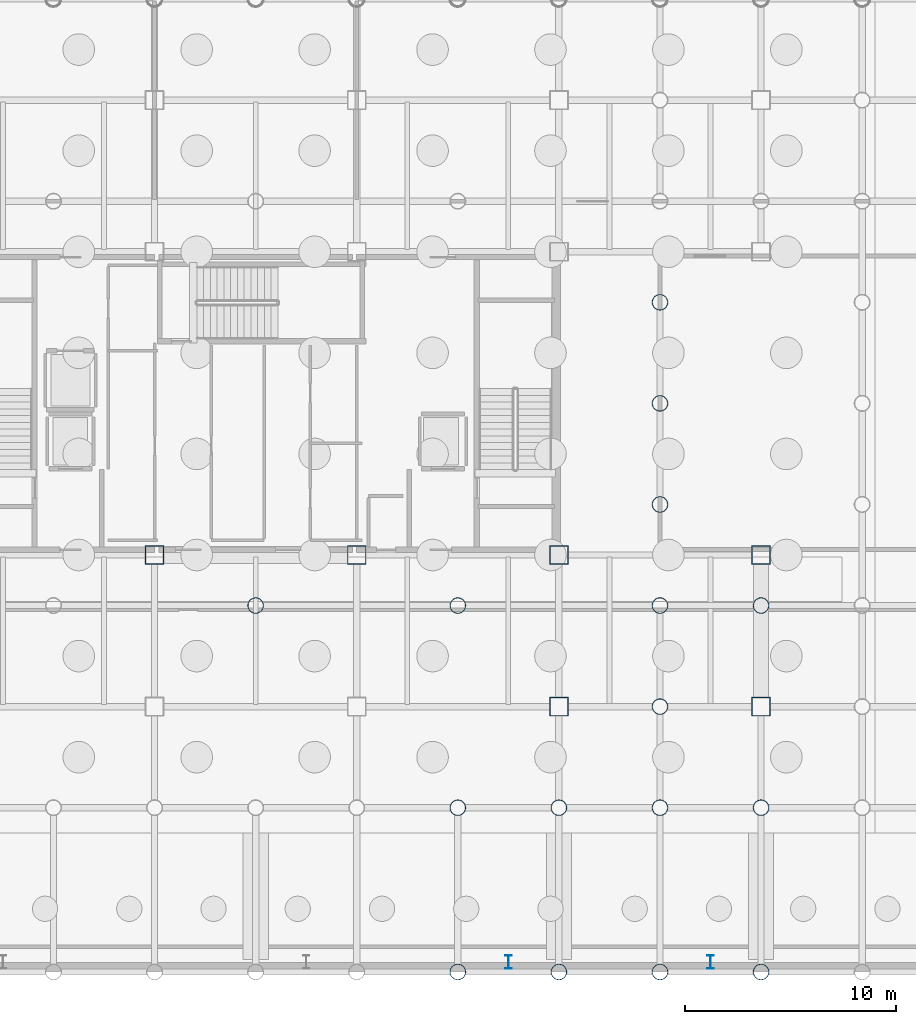
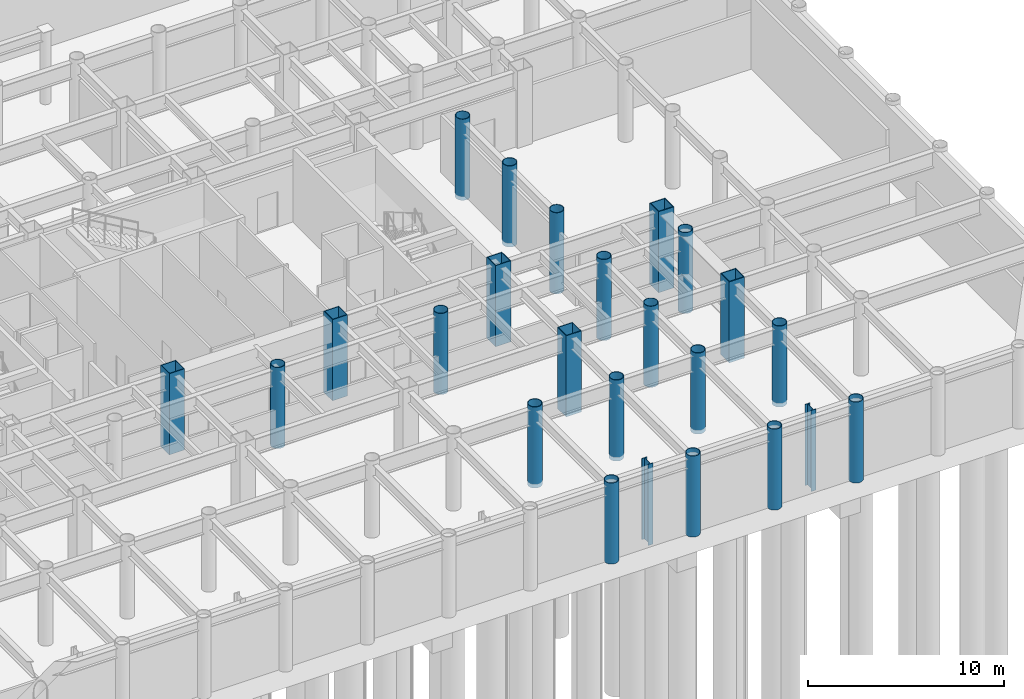
# One storey, part 3 of 17: 24 columns.
"""IFC4 building model written with IfcOpenShell, lengths in metres."""

from ifc_helpers import new_model, si_unit, direction, frame, origin, origin_2d, place, context, subcontext, project, spatial, hollow_rectangle, hollow_circle, i_section, extrude, material, material_profile, profile_set, type_object, element, save


model = new_model("IFC4")

# Units and contexts
model_context = context("Model", 3, precision=1e-05, world=origin(), true_north=direction((0.0, 1.0)))
body_context = subcontext(model_context, "Body", "Model", "MODEL_VIEW")
ifc_project = project(units=[si_unit("LENGTHUNIT", "METRE"), si_unit("AREAUNIT", "SQUARE_METRE"), si_unit("VOLUMEUNIT", "CUBIC_METRE"), si_unit("PLANEANGLEUNIT", "RADIAN"), si_unit("MASSUNIT", "GRAM", prefix="KILO")], contexts=[model_context])

# Site, building, storey
site_placement = place(None, origin())
site = spatial("IfcSite", under=ifc_project, at=site_placement, CompositionType="ELEMENT")
building_placement = place(site_placement, origin())
building = spatial("IfcBuilding", under=site, at=building_placement, Name="Kallvorn Hotel Tower", CompositionType="ELEMENT")
storey_placement = place(building_placement, frame((0.0, 0.0, -10.199951171875)))
storey = spatial("IfcBuildingStorey", under=building, at=storey_placement, Name="B2", CompositionType="ELEMENT", Elevation=-10.199951171875)

# Columns
ifc_material_1 = material(Name="Structural steel S355J2H", Category="steel")
ifc_material_profile_1 = material_profile(ifc_material_1, hollow_circle(Radius=0.381103515625, WallThickness=0.031982421875, at=origin_2d()), Name="CHS 762x32")
ifc_profile_set_1 = profile_set([ifc_material_profile_1], Name="Structural steel S355J2H")
column_type_1 = type_object("IfcColumnType", Name="COL_CHS_762", PredefinedType="COLUMN", material=ifc_profile_set_1)
for number, where, z_axis, x_axis, name in (
    (1, (0.0, -9.60009765625, -0.25), (0.0, 0.0, 1.0), (1.0, 0.0, 0.0), "B2 Exoskeleton Column EC56"),
    (2, (9.60009765625, -27.0, -0.25), (0.0, 0.0, 1.0), (1.0, 0.0, 0.0), "B2 Exoskeleton Column EC64"),
    (3, (9.60009765625, -19.199951171875, -0.25), (0.0, 0.0, 1.0), (1.0, 0.0, 0.0), "B2 Exoskeleton Column EC65"),
    (4, (9.60009765625, -9.60009765625, -0.25), (0.0, 0.0, 1.0), (1.0, 0.0, 0.0), "B2 Exoskeleton Column EC66"),
    (5, (14.39990234375, -27.0, -0.25), (0.0, 0.0, 1.0), (1.0, 0.0, 0.0), "B2 Exoskeleton Column EC70"),
    (6, (14.39990234375, -19.199951171875, -0.25), (0.0, 0.0, 1.0), (1.0, 0.0, 0.0), "B2 Exoskeleton Column EC71"),
    (7, (19.199951171875, -27.0, -0.25), (0.0, 0.0, 1.0), (1.0, 0.0, 0.0), "B2 Exoskeleton Column EC74"),
    (8, (19.199951171875, -19.199951171875, -0.25), (0.0, 0.0, 1.0), (1.0, 0.0, 0.0), "B2 Exoskeleton Column EC75"),
    (9, (19.199951171875, -14.39990234375, -0.25), (0.0, 0.0, 1.0), (1.0, 0.0, 0.0), "B2 Exoskeleton Column EC76"),
    (10, (19.199951171875, -9.60009765625, -0.25), (0.0, 0.0, 1.0), (1.0, 0.0, 0.0), "B2 Exoskeleton Column EC77"),
    (11, (19.199951171875, -4.800048828125, -0.25), (0.0, 0.0, 1.0), (1.0, 0.0, 0.0), "B2 Exoskeleton Column EC78"),
    (12, (19.199951171875, 0.0, -0.25), (0.0, 0.0, 1.0), (1.0, 0.0, 0.0), "B2 Exoskeleton Column EC79"),
    (13, (19.199951171875, 4.800048828125, -0.25), (0.0, 0.0, 1.0), (1.0, 0.0, 0.0), "B2 Exoskeleton Column EC80"),
    (14, (24.0, -27.0, -0.25), (0.0, 0.0, 1.0), (1.0, 0.0, 0.0), "B2 Exoskeleton Column EC85"),
    (15, (24.0, -19.199951171875, -0.25), (0.0, 0.0, 1.0), (1.0, 0.0, 0.0), "B2 Exoskeleton Column EC86"),
    (16, (24.0, -9.60009765625, -0.25), (0.0, 0.0, 1.0), (1.0, 0.0, 0.0), "B2 Exoskeleton Column EC87"),
):
    element("IfcColumn", number, at=place(storey_placement, frame(where, z_axis=z_axis, x_axis=x_axis)), inside=storey, type_object=column_type_1, Name=name, PredefinedType="COLUMN", context=body_context, shape_type="SweptSolid", body=[
        extrude(hollow_circle(Radius=0.381103515625, WallThickness=0.031982421875, at=origin_2d()), origin(), (0.0, 0.0, 1.0), 5.050048828125),
    ])
ifc_material_2 = material(Name="Structural steel S355J2H", Category="steel")
ifc_material_profile_2 = material_profile(ifc_material_2, hollow_rectangle(XDim=0.89990234375, YDim=0.89990234375, WallThickness=0.0400390625, at=origin_2d()), Name="RHS 900x900x40")
ifc_profile_set_2 = profile_set([ifc_material_profile_2], Name="Structural steel S355J2H")
column_type_2 = type_object("IfcColumnType", Name="COL_RHS_900", PredefinedType="COLUMN", material=ifc_profile_set_2)
for number, where, z_axis, x_axis, name in (
    (17, (-4.800048828125, -7.199951171875, -0.25), (0.0, 0.0, 1.0), (1.0, 0.0, 0.0), "B2 Inner Column IC10"),
    (18, (4.800048828125, -7.199951171875, -0.25), (0.0, 0.0, 1.0), (1.0, 0.0, 0.0), "B2 Inner Column IC14"),
    (19, (14.39990234375, -14.39990234375, -0.25), (0.0, 0.0, 1.0), (1.0, 0.0, 0.0), "B2 Inner Column IC17"),
    (20, (14.39990234375, -7.199951171875, -0.25), (0.0, 0.0, 1.0), (1.0, 0.0, 0.0), "B2 Inner Column IC18"),
    (21, (24.0, -14.39990234375, -0.25), (0.0, 0.0, 1.0), (1.0, 0.0, 0.0), "B2 Inner Column IC21"),
    (22, (24.0, -7.199951171875, -0.25), (0.0, 0.0, 1.0), (1.0, 0.0, 0.0), "B2 Inner Column IC22"),
):
    element("IfcColumn", number, at=place(storey_placement, frame(where, z_axis=z_axis, x_axis=x_axis)), inside=storey, type_object=column_type_2, Name=name, PredefinedType="COLUMN", context=body_context, shape_type="SweptSolid", body=[
        extrude(hollow_rectangle(XDim=0.89990234375, YDim=0.89990234375, WallThickness=0.0400390625, at=origin_2d()), origin(), (0.0, 0.0, 1.0), 5.050048828125),
    ])
ifc_material_3 = material(Name="Structural steel S355JR", Category="steel")
ifc_material_profile_3 = material_profile(ifc_material_3, i_section(OverallWidth=0.300048828125, OverallDepth=0.64990234375, WebThickness=0.01611328125, FlangeThickness=0.031005859375, at=origin_2d()), Name="HE 650 B")
ifc_profile_set_3 = profile_set([ifc_material_profile_3], Name="Structural steel S355JR")
column_type_3 = type_object("IfcColumnType", Name="PILASTER_HE650B", PredefinedType="PILASTER", material=ifc_profile_set_3)
for number, where, z_axis, x_axis, name in (
    (23, (12.0, -26.52001953125, -0.25), (0.0, 0.0, 1.0), (1.0, 0.0, 0.0), "B2 Chicago Colonnade Pilaster 04"),
    (24, (21.60009765625, -26.52001953125, -0.25), (0.0, 0.0, 1.0), (1.0, 0.0, 0.0), "B2 Chicago Colonnade Pilaster 05"),
):
    element("IfcColumn", number, at=place(storey_placement, frame(where, z_axis=z_axis, x_axis=x_axis)), inside=storey, type_object=column_type_3, Name=name, PredefinedType="PILASTER", context=body_context, shape_type="SweptSolid", body=[
        extrude(i_section(OverallWidth=0.300048828125, OverallDepth=0.64990234375, WebThickness=0.01611328125, FlangeThickness=0.031005859375, at=origin_2d()), origin(), (0.0, 0.0, 1.0), 5.050048828125),
    ])

save(model, "model.ifc")
